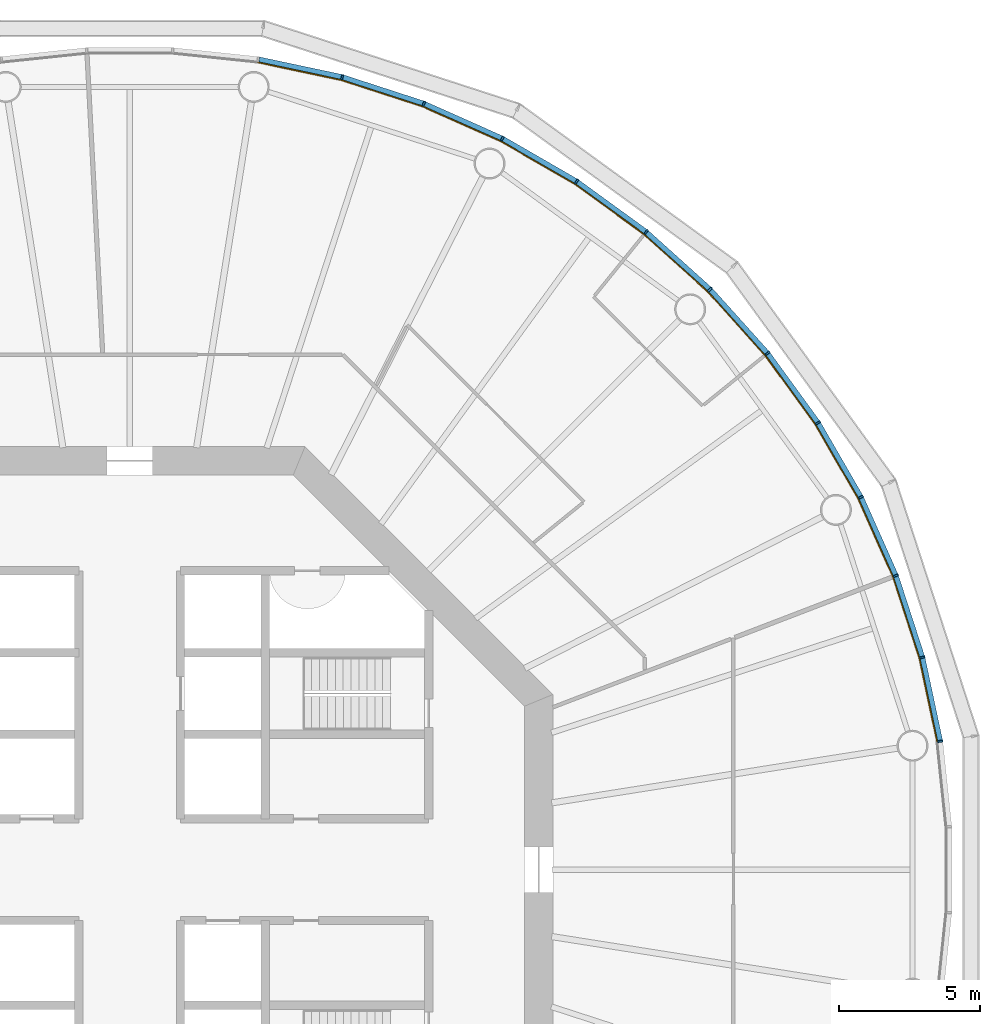
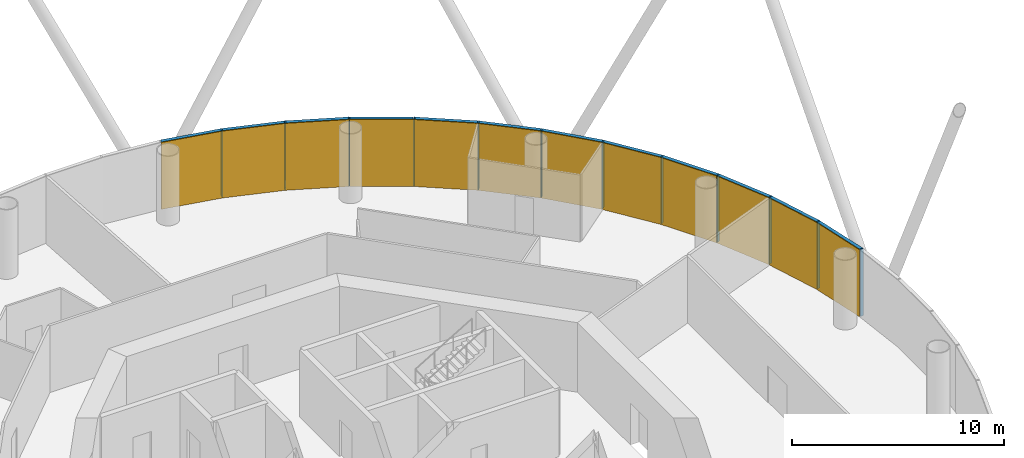
# One storey, part 12 of 13: 24 members, 4 curtain walls.
"""IFC4 building model written with IfcOpenShell, lengths in metres."""

import ifcopenshell
import ifcopenshell.guid

model = None  # the IFC model being written
_history = None  # IfcOwnerHistory: only IFC2X3 demands one
_inside = {}  # id of a spatial element -> (the spatial element, [elements in it])
_under = {}  # id of a project, library or spatial element -> (it, [spatial elements below it])
_declared = {}  # id of a project -> (the project, [libraries it declares])
_typed = {}  # id of a type object -> (the type object, [elements of that type])
_made_of = {}  # id of a material, layer set ... -> (it, [elements and type objects made of it])


def new_model(schema):
    """Start an empty IFC model of exactly this schema.

    Asked for "IFC4X3", IfcOpenShell would pick the latest addendum, in which some entities
    have other attributes; the version numbers below select the first issue.
    IFC2X3 requires an IfcOwnerHistory on every rooted entity: one is made here for all.
    """
    global model, _history
    if schema == "IFC4X3":
        model = ifcopenshell.file(schema_version=(4, 3, 0, 0))
    else:
        model = ifcopenshell.file(schema=schema)
    _inside.clear()
    _under.clear()
    _declared.clear()
    _typed.clear()
    _made_of.clear()
    _history = None
    if model.schema == "IFC2X3":
        org = make("IfcOrganization", Name="unknown")
        user = make(
            "IfcPersonAndOrganization",
            ThePerson=make("IfcPerson", FamilyName="unknown"),
            TheOrganization=org,
        )
        app = make(
            "IfcApplication",
            ApplicationDeveloper=org,
            Version="unknown",
            ApplicationFullName="unknown",
            ApplicationIdentifier="unknown",
        )
        _history = make(
            "IfcOwnerHistory",
            OwningUser=user,
            OwningApplication=app,
            ChangeAction="ADDED",
            CreationDate=0,
        )
    return model


def make(cls, **values):
    """One entity of the class cls with the attributes given. An attribute that is None is left unset."""
    return model.create_entity(
        cls, **{name: value for name, value in values.items() if value is not None}
    )


def rooted(cls, **values):
    """An entity with a GlobalId (a new one), such as an element, a storey or a relation."""
    return make(cls, GlobalId=ifcopenshell.guid.new(), OwnerHistory=_history, **values)


def si_unit(unit_type, name, prefix=None):
    """IfcSIUnit, for example si_unit("LENGTHUNIT", "METRE", prefix="MILLI")."""
    return make("IfcSIUnit", UnitType=unit_type, Prefix=prefix, Name=name)


def assignment(units):
    """IfcUnitAssignment: the units of a project."""
    return None if units is None else make("IfcUnitAssignment", Units=units)


def point(xyz):
    """IfcCartesianPoint."""
    return None if xyz is None else make("IfcCartesianPoint", Coordinates=xyz)


def direction(xyz):
    """IfcDirection."""
    return None if xyz is None else make("IfcDirection", DirectionRatios=xyz)


def frame(location, z_axis=None, x_axis=None):
    """IfcAxis2Placement3D, a coordinate frame: its origin and axes. An axis left out is left unset."""
    return make(
        "IfcAxis2Placement3D",
        Location=point(location),
        Axis=direction(z_axis),
        RefDirection=direction(x_axis),
    )


def frame_2d(location, x_axis=None):
    """IfcAxis2Placement2D, a coordinate frame in the plane: its origin and x axis."""
    return make(
        "IfcAxis2Placement2D", Location=point(location), RefDirection=direction(x_axis)
    )


def origin():
    """The frame at (0, 0, 0) with its axes left unset."""
    return frame((0.0, 0.0, 0.0))


def origin_2d():
    """The frame at (0, 0) in the plane with its x axis left unset."""
    return frame_2d((0.0, 0.0))


def place(relative_to, where):
    """IfcLocalPlacement: puts the frame where relative to a parent placement (None: the world)."""
    return make(
        "IfcLocalPlacement", PlacementRelTo=relative_to, RelativePlacement=where
    )


def context(
    kind, dimensions, precision=None, world=None, true_north=None, identifier=None
):
    """IfcGeometricRepresentationContext, for example the 3D "Model" context."""
    return make(
        "IfcGeometricRepresentationContext",
        ContextIdentifier=identifier,
        ContextType=kind,
        CoordinateSpaceDimension=dimensions,
        Precision=precision,
        WorldCoordinateSystem=world,
        TrueNorth=true_north,
    )


def subcontext(parent, identifier, kind, view, scale=None):
    """IfcGeometricRepresentationSubContext, for example "Body" below "Model"."""
    return make(
        "IfcGeometricRepresentationSubContext",
        ContextIdentifier=identifier,
        ContextType=kind,
        ParentContext=parent,
        TargetScale=scale,
        TargetView=view,
    )


def project(units=None, contexts=None):
    """IfcProject with its units and contexts."""
    return rooted(
        "IfcProject",
        Name="project",
        RepresentationContexts=contexts,
        UnitsInContext=assignment(units),
    )


def spatial(cls, under=None, at=None, **own):
    """A site, building, storey or space (cls), placed at a placement, below another one or the project."""
    s = rooted(cls, ObjectPlacement=at, **own)
    if under is not None:
        _under.setdefault(under.id(), (under, []))[1].append(s)
    return s


def polyline(points):
    """IfcPolyline through the points."""
    return make("IfcPolyline", Points=[point(p) for p in points])


def profile(cls, at=None, kind="AREA", **sizes):
    """A parametric profile (cls). Its sizes go by their IFC names, for example OverallWidth=200.0."""
    return make(cls, ProfileType=kind, Position=at, **sizes)


def rectangle(**sizes):
    """IfcRectangleProfileDef."""
    return profile("IfcRectangleProfileDef", **sizes)


def outline(outer, holes=None, kind="AREA"):
    """IfcArbitraryClosedProfileDef: a profile drawn as a closed curve; with holes, ...WithVoids."""
    if holes is None:
        return make("IfcArbitraryClosedProfileDef", ProfileType=kind, OuterCurve=outer)
    return make(
        "IfcArbitraryProfileDefWithVoids",
        ProfileType=kind,
        OuterCurve=outer,
        InnerCurves=holes,
    )


def extrude(swept, where, along, depth):
    """IfcExtrudedAreaSolid: the profile swept, set in the frame where, extruded along a direction by depth."""
    return make(
        "IfcExtrudedAreaSolid",
        SweptArea=swept,
        Position=where,
        ExtrudedDirection=direction(along),
        Depth=depth,
    )


def shape(context_of_items, identifier, shape_type, items):
    """IfcShapeRepresentation: the items that make up one representation, for example the "Body"."""
    return make(
        "IfcShapeRepresentation",
        ContextOfItems=context_of_items,
        RepresentationIdentifier=identifier,
        RepresentationType=shape_type,
        Items=items,
    )


def material(Name=None, Category=None):
    """IfcMaterial."""
    return make("IfcMaterial", Name=Name, Category=Category)


def layer(
    of_material, thickness, ventilated=None, Name=None, Category=None, Priority=None
):
    """IfcMaterialLayer: one layer of a wall or slab, of a material (None: an air gap)."""
    return make(
        "IfcMaterialLayer",
        Material=of_material,
        LayerThickness=thickness,
        IsVentilated=ventilated,
        Name=Name,
        Category=Category,
        Priority=Priority,
    )


def layer_set(layers, Name=None):
    """IfcMaterialLayerSet."""
    return make("IfcMaterialLayerSet", MaterialLayers=layers, LayerSetName=Name)


def material_profile(
    of_material, cross_section, Name=None, Category=None, Priority=None
):
    """IfcMaterialProfile: a cross section and its material."""
    return make(
        "IfcMaterialProfile",
        Name=Name,
        Material=of_material,
        Profile=cross_section,
        Priority=Priority,
        Category=Category,
    )


def profile_set(profiles, Name=None, composite=None):
    """IfcMaterialProfileSet."""
    return make(
        "IfcMaterialProfileSet",
        Name=Name,
        MaterialProfiles=profiles,
        CompositeProfile=composite,
    )


def made_of(thing, what):
    """Note that an element or type object is made of a material, layer set ...; save() writes the relation."""
    if what is not None:
        _made_of.setdefault(what.id(), (what, []))[1].append(thing)
    return thing


def type_object(cls, material=None, **own):
    """A type object (cls), such as IfcWallType, which elements share."""
    return made_of(rooted(cls, **own), material)


def element(
    cls,
    number,
    at=None,
    inside=None,
    cuts=None,
    type_object=None,
    material=None,
    context=None,
    identifier="Body",
    shape_type=None,
    held_by="IfcProductDefinitionShape",
    body=None,
    shapes=None,
    **own,
):
    """One element of the class cls, such as IfcWall. Its Tag is "e" and its number.

    at: its placement. inside: the storey or other place that contains it. cuts: it is an
    opening in that element (IfcRelVoidsElement). A single representation is given by context,
    identifier, shape_type and body (its items); several are given by shapes. held_by: the class
    of the entity that holds the representations. save() writes the other relations.
    """
    e = rooted(cls, Tag="e%d" % number, ObjectPlacement=at, **own)
    if body is not None:
        shapes = [shape(context, identifier, shape_type, body)]
    if shapes is not None:
        e.Representation = make(held_by, Representations=shapes)
    if inside is not None:
        _inside.setdefault(inside.id(), (inside, []))[1].append(e)
    if cuts is not None:
        rooted(
            "IfcRelVoidsElement", RelatingBuildingElement=cuts, RelatedOpeningElement=e
        )
    if type_object is not None:
        _typed.setdefault(type_object.id(), (type_object, []))[1].append(e)
    return made_of(e, material)


def aggregate(whole, parts):
    """IfcRelAggregates: a whole, such as a stair, and the parts it consists of."""
    return rooted("IfcRelAggregates", RelatingObject=whole, RelatedObjects=parts)


def save(model, path):
    """Write the relations noted so far, then the file.

    IfcRelAggregates (storeys below a building ...), IfcRelContainedInSpatialStructure (elements
    in a storey), IfcRelDefinesByType, IfcRelAssociatesMaterial and IfcRelDeclares: one each for
    every whole, place, type object, material and project.
    """
    for whole, parts in _under.values():
        aggregate(whole, parts)
    for where, things in _inside.values():
        rooted(
            "IfcRelContainedInSpatialStructure",
            RelatedElements=things,
            RelatingStructure=where,
        )
    for kind, things in _typed.values():
        rooted("IfcRelDefinesByType", RelatedObjects=things, RelatingType=kind)
    for what, things in _made_of.values():
        rooted("IfcRelAssociatesMaterial", RelatedObjects=things, RelatingMaterial=what)
    for by, libraries in _declared.values():
        rooted("IfcRelDeclares", RelatingContext=by, RelatedDefinitions=libraries)
    model.write(path)


model = new_model("IFC4")

# Units and contexts
model_context = context("Model", 3, precision=1e-05, world=origin(), true_north=direction((0.0, 1.0)))
body_context = subcontext(model_context, "Body", "Model", "MODEL_VIEW")
ifc_project = project(units=[si_unit("LENGTHUNIT", "METRE"), si_unit("AREAUNIT", "SQUARE_METRE"), si_unit("VOLUMEUNIT", "CUBIC_METRE"), si_unit("PLANEANGLEUNIT", "RADIAN"), si_unit("MASSUNIT", "GRAM", prefix="KILO")], contexts=[model_context])

# Member
ifc_material_1 = material(Name="Anodised aluminium", Category="aluminium")
ifc_material_profile_1 = material_profile(ifc_material_1, rectangle(XDim=0.06494140625, YDim=0.18505859375, at=origin_2d()), Name="Mullion 65 x 185 mm anodised aluminium")
ifc_profile_set_1 = profile_set([ifc_material_profile_1], Name="Anodised aluminium")
member_type_1 = type_object("IfcMemberType", Name="Mullion 65 x 185 mm anodised aluminium", PredefinedType="MULLION", material=ifc_profile_set_1)
site_placement = place(None, origin())
building_placement = place(site_placement, origin())
storey_placement = place(building_placement, frame((0.0, 0.0, 180.0)))
member_1_placement = place(storey_placement, frame((118.734375, 84.551025390625, 0.0), z_axis=(0.0, 0.0, 1.0), x_axis=(-0.15643446504, 0.987688340595, 0.0)))
member_1 = element("IfcMember", 1, at=member_1_placement, type_object=member_type_1, Name="MULLION L41-00", PredefinedType="MULLION", context=body_context, shape_type="SweptSolid", body=[
    extrude(rectangle(XDim=0.06494140625, YDim=0.18505859375, at=origin_2d()), origin(), (0.0, 0.0, 1.0), 3.85009765625),
])

member_2_placement = place(storey_placement, frame((118.101318359375, 87.52978515625, 0.0), z_axis=(0.0, 0.0, 1.0), x_axis=(-0.258819045103, 0.965925826289, 0.0)))
member_2 = element("IfcMember", 2, at=member_2_placement, type_object=member_type_1, Name="MULLION L41-01", PredefinedType="MULLION", context=body_context, shape_type="SweptSolid", body=[
    extrude(rectangle(XDim=0.06494140625, YDim=0.18505859375, at=origin_2d()), origin(), (0.0, 0.0, 1.0), 3.85009765625),
])

member_3_placement = place(storey_placement, frame((117.16015625, 90.42578125, 0.0), z_axis=(0.0, 0.0, 1.0), x_axis=(-0.358367949545, 0.933580426497, 0.0)))
member_3 = element("IfcMember", 3, at=member_3_placement, type_object=member_type_1, Name="MULLION L41-02", PredefinedType="MULLION", context=body_context, shape_type="SweptSolid", body=[
    extrude(rectangle(XDim=0.06494140625, YDim=0.18505859375, at=origin_2d()), origin(), (0.0, 0.0, 1.0), 3.85009765625),
])

member_4_placement = place(storey_placement, frame((115.921630859375, 93.207763671875, 0.0), z_axis=(0.0, 0.0, 1.0), x_axis=(-0.45399049974, 0.891006524188, 0.0)))
member_4 = element("IfcMember", 4, at=member_4_placement, type_object=member_type_1, Name="MULLION L41-03", PredefinedType="MULLION", context=body_context, shape_type="SweptSolid", body=[
    extrude(rectangle(XDim=0.06494140625, YDim=0.18505859375, at=origin_2d()), origin(), (0.0, 0.0, 1.0), 3.85009765625),
])

member_5_placement = place(storey_placement, frame((114.39892578125, 95.844970703125, 0.0), z_axis=(0.0, 0.0, 1.0), x_axis=(-0.544639035015, 0.838670567945, 0.0)))
member_5 = element("IfcMember", 5, at=member_5_placement, type_object=member_type_1, Name="MULLION L41-04", PredefinedType="MULLION", context=body_context, shape_type="SweptSolid", body=[
    extrude(rectangle(XDim=0.06494140625, YDim=0.18505859375, at=origin_2d()), origin(), (0.0, 0.0, 1.0), 3.85009765625),
])

member_6_placement = place(storey_placement, frame((112.609130859375, 98.30859375, 0.0), z_axis=(0.0, 0.0, 1.0), x_axis=(-0.62932039105, 0.777145961457, 0.0)))
member_6 = element("IfcMember", 6, at=member_6_placement, type_object=member_type_1, Name="MULLION L41-05", PredefinedType="MULLION", context=body_context, shape_type="SweptSolid", body=[
    extrude(rectangle(XDim=0.06494140625, YDim=0.18505859375, at=origin_2d()), origin(), (0.0, 0.0, 1.0), 3.85009765625),
])

member_7_placement = place(storey_placement, frame((110.571533203125, 100.571533203125, 0.0), z_axis=(0.0, 0.0, 1.0), x_axis=(-0.707106781187, 0.707106781187, 0.0)))
member_7 = element("IfcMember", 7, at=member_7_placement, type_object=member_type_1, Name="MULLION L41-06", PredefinedType="MULLION", context=body_context, shape_type="SweptSolid", body=[
    extrude(rectangle(XDim=0.06494140625, YDim=0.18505859375, at=origin_2d()), origin(), (0.0, 0.0, 1.0), 3.85009765625),
])

member_8_placement = place(storey_placement, frame((108.30859375, 102.609130859375, 0.0), z_axis=(0.0, 0.0, 1.0), x_axis=(-0.777145961457, 0.62932039105, 0.0)))
member_8 = element("IfcMember", 8, at=member_8_placement, type_object=member_type_1, Name="MULLION L41-07", PredefinedType="MULLION", context=body_context, shape_type="SweptSolid", body=[
    extrude(rectangle(XDim=0.06494140625, YDim=0.18505859375, at=origin_2d()), origin(), (0.0, 0.0, 1.0), 3.85009765625),
])

member_9_placement = place(storey_placement, frame((105.844970703125, 104.39892578125, 0.0), z_axis=(0.0, 0.0, 1.0), x_axis=(-0.838670567945, 0.544639035015, 0.0)))
member_9 = element("IfcMember", 9, at=member_9_placement, type_object=member_type_1, Name="MULLION L41-08", PredefinedType="MULLION", context=body_context, shape_type="SweptSolid", body=[
    extrude(rectangle(XDim=0.06494140625, YDim=0.18505859375, at=origin_2d()), origin(), (0.0, 0.0, 1.0), 3.85009765625),
])

member_10_placement = place(storey_placement, frame((103.207763671875, 105.921630859375, 0.0), z_axis=(0.0, 0.0, 1.0), x_axis=(-0.891006524188, 0.45399049974, 0.0)))
member_10 = element("IfcMember", 10, at=member_10_placement, type_object=member_type_1, Name="MULLION L41-09", PredefinedType="MULLION", context=body_context, shape_type="SweptSolid", body=[
    extrude(rectangle(XDim=0.06494140625, YDim=0.18505859375, at=origin_2d()), origin(), (0.0, 0.0, 1.0), 3.85009765625),
])

member_11_placement = place(storey_placement, frame((100.42578125, 107.16015625, 0.0), z_axis=(0.0, 0.0, 1.0), x_axis=(-0.933580426497, 0.358367949545, 0.0)))
member_11 = element("IfcMember", 11, at=member_11_placement, type_object=member_type_1, Name="MULLION L41-10", PredefinedType="MULLION", context=body_context, shape_type="SweptSolid", body=[
    extrude(rectangle(XDim=0.06494140625, YDim=0.18505859375, at=origin_2d()), origin(), (0.0, 0.0, 1.0), 3.85009765625),
])

member_12_placement = place(storey_placement, frame((97.52978515625, 108.101318359375, 0.0), z_axis=(0.0, 0.0, 1.0), x_axis=(-0.965925826289, 0.258819045103, 0.0)))
member_12 = element("IfcMember", 12, at=member_12_placement, type_object=member_type_1, Name="MULLION L41-11", PredefinedType="MULLION", context=body_context, shape_type="SweptSolid", body=[
    extrude(rectangle(XDim=0.06494140625, YDim=0.18505859375, at=origin_2d()), origin(), (0.0, 0.0, 1.0), 3.85009765625),
])

ifc_material_2 = material(Name="Anodised aluminium", Category="aluminium")
ifc_material_profile_2 = material_profile(ifc_material_2, rectangle(XDim=0.18505859375, YDim=0.175048828125, at=origin_2d()), Name="Transom 175 x 185 mm anodised aluminium")
ifc_profile_set_2 = profile_set([ifc_material_profile_2], Name="Anodised aluminium")
member_type_2 = type_object("IfcMemberType", Name="Transom 175 x 185 mm anodised aluminium", PredefinedType="USERDEFINED", material=ifc_profile_set_2)
member_13_placement = place(storey_placement, frame((118.7265625, 84.587646484375, 3.762451171875), z_axis=(-0.207861704825, 0.97815822425, 0.0), x_axis=(-0.97815822425, -0.207861704825, 0.0)))
member_13 = element("IfcMember", 13, at=member_13_placement, type_object=member_type_2, Name="TRANSOM L41-00", ObjectType="TRANSOM", PredefinedType="USERDEFINED", context=body_context, shape_type="SweptSolid", body=[
    extrude(rectangle(XDim=0.18505859375, YDim=0.175048828125, at=origin_2d()), origin(), (0.0, 0.0, 1.0), 2.970458984375),
])

member_14_placement = place(storey_placement, frame((118.08984375, 87.565185546875, 3.762451171875), z_axis=(-0.30901917063, 0.951055809184, 0.0), x_axis=(-0.951055809184, -0.30901917063, 0.0)))
member_14 = element("IfcMember", 14, at=member_14_placement, type_object=member_type_2, Name="TRANSOM L41-01", ObjectType="TRANSOM", PredefinedType="USERDEFINED", context=body_context, shape_type="SweptSolid", body=[
    extrude(rectangle(XDim=0.18505859375, YDim=0.175048828125, at=origin_2d()), origin(), (0.0, 0.0, 1.0), 2.970703125),
])

member_15_placement = place(storey_placement, frame((117.14501953125, 90.4599609375, 3.762451171875), z_axis=(-0.406687471156, 0.913567348806, 0.0), x_axis=(-0.913567348806, -0.406687471156, 0.0)))
member_15 = element("IfcMember", 15, at=member_15_placement, type_object=member_type_2, Name="TRANSOM L41-02", ObjectType="TRANSOM", PredefinedType="USERDEFINED", context=body_context, shape_type="SweptSolid", body=[
    extrude(rectangle(XDim=0.18505859375, YDim=0.175048828125, at=origin_2d()), origin(), (0.0, 0.0, 1.0), 2.970458984375),
])

member_16_placement = place(storey_placement, frame((115.903076171875, 93.240234375, 3.762451171875), z_axis=(-0.500028367561, 0.866009025146, 0.0), x_axis=(-0.866009025146, -0.500028367561, 0.0)))
member_16 = element("IfcMember", 16, at=member_16_placement, type_object=member_type_2, Name="TRANSOM L41-03", ObjectType="TRANSOM", PredefinedType="USERDEFINED", context=body_context, shape_type="SweptSolid", body=[
    extrude(rectangle(XDim=0.18505859375, YDim=0.175048828125, at=origin_2d()), origin(), (0.0, 0.0, 1.0), 2.970458984375),
])

member_17_placement = place(storey_placement, frame((114.377197265625, 95.875244140625, 3.762451171875), z_axis=(-0.587819781808, 0.808991906087, 0.0), x_axis=(-0.808991906087, -0.587819781808, 0.0)))
member_17 = element("IfcMember", 17, at=member_17_placement, type_object=member_type_2, Name="TRANSOM L41-04", ObjectType="TRANSOM", PredefinedType="USERDEFINED", context=body_context, shape_type="SweptSolid", body=[
    extrude(rectangle(XDim=0.18505859375, YDim=0.175048828125, at=origin_2d()), origin(), (0.0, 0.0, 1.0), 2.970458984375),
])

member_18_placement = place(storey_placement, frame((112.584228515625, 98.33642578125, 3.762451171875), z_axis=(-0.669110027395, 0.743163354343, 0.0), x_axis=(-0.743163354343, -0.669110027395, 0.0)))
member_18 = element("IfcMember", 18, at=member_18_placement, type_object=member_type_2, Name="TRANSOM L41-05", ObjectType="TRANSOM", PredefinedType="USERDEFINED", context=body_context, shape_type="SweptSolid", body=[
    extrude(rectangle(XDim=0.18505859375, YDim=0.175048828125, at=origin_2d()), origin(), (0.0, 0.0, 1.0), 2.970458984375),
])

member_19_placement = place(storey_placement, frame((110.5439453125, 100.5966796875, 3.762451171875), z_axis=(-0.743163354343, 0.669110027395, 0.0), x_axis=(-0.669110027395, -0.743163354343, 0.0)))
member_19 = element("IfcMember", 19, at=member_19_placement, type_object=member_type_2, Name="TRANSOM L41-06", ObjectType="TRANSOM", PredefinedType="USERDEFINED", context=body_context, shape_type="SweptSolid", body=[
    extrude(rectangle(XDim=0.18505859375, YDim=0.175048828125, at=origin_2d()), origin(), (0.0, 0.0, 1.0), 2.970458984375),
])

member_20_placement = place(storey_placement, frame((108.2783203125, 102.631103515625, 3.762451171875), z_axis=(-0.808991906087, 0.587819781808, 0.0), x_axis=(-0.587819781808, -0.808991906087, 0.0)))
member_20 = element("IfcMember", 20, at=member_20_placement, type_object=member_type_2, Name="TRANSOM L41-07", ObjectType="TRANSOM", PredefinedType="USERDEFINED", context=body_context, shape_type="SweptSolid", body=[
    extrude(rectangle(XDim=0.18505859375, YDim=0.175048828125, at=origin_2d()), origin(), (0.0, 0.0, 1.0), 2.970458984375),
])

member_21_placement = place(storey_placement, frame((105.812744140625, 104.417724609375, 3.762451171875), z_axis=(-0.866009025146, 0.500028367561, 0.0), x_axis=(-0.500028367561, -0.866009025146, 0.0)))
member_21 = element("IfcMember", 21, at=member_21_placement, type_object=member_type_2, Name="TRANSOM L41-08", ObjectType="TRANSOM", PredefinedType="USERDEFINED", context=body_context, shape_type="SweptSolid", body=[
    extrude(rectangle(XDim=0.18505859375, YDim=0.175048828125, at=origin_2d()), origin(), (0.0, 0.0, 1.0), 2.970458984375),
])

member_22_placement = place(storey_placement, frame((103.173583984375, 105.93701171875, 3.762451171875), z_axis=(-0.913567348806, 0.406687471156, 0.0), x_axis=(-0.406687471156, -0.913567348806, 0.0)))
member_22 = element("IfcMember", 22, at=member_22_placement, type_object=member_type_2, Name="TRANSOM L41-09", ObjectType="TRANSOM", PredefinedType="USERDEFINED", context=body_context, shape_type="SweptSolid", body=[
    extrude(rectangle(XDim=0.18505859375, YDim=0.175048828125, at=origin_2d()), origin(), (0.0, 0.0, 1.0), 2.970458984375),
])

member_23_placement = place(storey_placement, frame((100.390380859375, 107.171875, 3.762451171875), z_axis=(-0.951055809184, 0.30901917063, 0.0), x_axis=(-0.30901917063, -0.951055809184, 0.0)))
member_23 = element("IfcMember", 23, at=member_23_placement, type_object=member_type_2, Name="TRANSOM L41-10", ObjectType="TRANSOM", PredefinedType="USERDEFINED", context=body_context, shape_type="SweptSolid", body=[
    extrude(rectangle(XDim=0.18505859375, YDim=0.175048828125, at=origin_2d()), origin(), (0.0, 0.0, 1.0), 2.970703125),
])

member_24_placement = place(storey_placement, frame((97.4931640625, 108.109130859375, 3.762451171875), z_axis=(-0.97815822425, 0.207861704825, 0.0), x_axis=(-0.207861704825, -0.97815822425, 0.0)))
member_24 = element("IfcMember", 24, at=member_24_placement, type_object=member_type_2, Name="TRANSOM L41-11", ObjectType="TRANSOM", PredefinedType="USERDEFINED", context=body_context, shape_type="SweptSolid", body=[
    extrude(rectangle(XDim=0.18505859375, YDim=0.175048828125, at=origin_2d()), origin(), (0.0, 0.0, 1.0), 2.970458984375),
])

# Site, building, storey
site = spatial("IfcSite", under=ifc_project, at=site_placement, CompositionType="ELEMENT")
building = spatial("IfcBuilding", under=site, at=building_placement, Name="Entoto Ring Tower", CompositionType="ELEMENT")
storey = spatial("IfcBuildingStorey", under=building, at=storey_placement, Name="L41", CompositionType="ELEMENT", Elevation=180.0)

# Curtain wall
ifc_material_3 = material(Name="Clear low-iron glass", Category="glass")
ifc_layer = layer(ifc_material_3, 0.033935546875)
ifc_layer_set = layer_set([ifc_layer], Name="Clear low-iron glass")
curtain_wall_type = type_object("IfcCurtainWallType", Name="Curtain wall system CW3 glazing 34 mm", PredefinedType="NOTDEFINED", material=ifc_layer_set)
curtain_wall_1_placement = place(storey_placement, origin())
curtain_wall_1 = element("IfcCurtainWall", 25, at=curtain_wall_1_placement, inside=storey, type_object=curtain_wall_type, Name="CW3 L41-01", PredefinedType="NOTDEFINED", context=body_context, shape_type="SweptSolid", body=[
    extrude(outline(polyline([(118.64306640625, 84.53662109375), (118.011962890625, 87.505859375), (117.07373046875, 90.392578125), (115.839111328125, 93.165771484375), (115.808837890625, 93.150146484375), (117.0419921875, 90.38037109375), (117.97900390625, 87.496826171875), (118.609375, 84.53125), (118.64306640625, 84.53662109375)])), origin(), (0.0, 0.0, 1.0), 3.85009765625),
])

aggregate(curtain_wall_1, [member_1, member_2, member_3, member_13, member_14, member_15])

curtain_wall_2_placement = place(storey_placement, origin())
curtain_wall_2 = element("IfcCurtainWall", 26, at=curtain_wall_2_placement, inside=storey, type_object=curtain_wall_type, Name="CW3 L41-02", PredefinedType="NOTDEFINED", context=body_context, shape_type="SweptSolid", body=[
    extrude(outline(polyline([(115.839111328125, 93.165771484375), (114.321533203125, 95.79443359375), (112.537353515625, 98.250244140625), (110.506103515625, 100.506103515625), (110.48193359375, 100.48193359375), (112.5107421875, 98.228759765625), (114.29296875, 95.77587890625), (115.808837890625, 93.150146484375), (115.839111328125, 93.165771484375)])), origin(), (0.0, 0.0, 1.0), 3.85009765625),
])

aggregate(curtain_wall_2, [member_4, member_5, member_6, member_16, member_17, member_18])

curtain_wall_3_placement = place(storey_placement, origin())
curtain_wall_3 = element("IfcCurtainWall", 27, at=curtain_wall_3_placement, inside=storey, type_object=curtain_wall_type, Name="CW3 L41-03", PredefinedType="NOTDEFINED", context=body_context, shape_type="SweptSolid", body=[
    extrude(outline(polyline([(110.506103515625, 100.506103515625), (108.250244140625, 102.537353515625), (105.79443359375, 104.321533203125), (103.165771484375, 105.839111328125), (103.150146484375, 105.808837890625), (105.77587890625, 104.29296875), (108.228759765625, 102.5107421875), (110.48193359375, 100.48193359375), (110.506103515625, 100.506103515625)])), origin(), (0.0, 0.0, 1.0), 3.85009765625),
])

aggregate(curtain_wall_3, [member_7, member_8, member_9, member_19, member_20, member_21])

curtain_wall_4_placement = place(storey_placement, origin())
curtain_wall_4 = element("IfcCurtainWall", 28, at=curtain_wall_4_placement, inside=storey, type_object=curtain_wall_type, Name="CW3 L41-04", PredefinedType="NOTDEFINED", context=body_context, shape_type="SweptSolid", body=[
    extrude(outline(polyline([(103.165771484375, 105.839111328125), (100.392578125, 107.07373046875), (97.505859375, 108.011962890625), (94.53662109375, 108.64306640625), (94.53125, 108.609375), (97.496826171875, 107.97900390625), (100.38037109375, 107.0419921875), (103.150146484375, 105.808837890625), (103.165771484375, 105.839111328125)])), origin(), (0.0, 0.0, 1.0), 3.85009765625),
])

aggregate(curtain_wall_4, [member_10, member_11, member_12, member_22, member_23, member_24])

save(model, "model.ifc")
